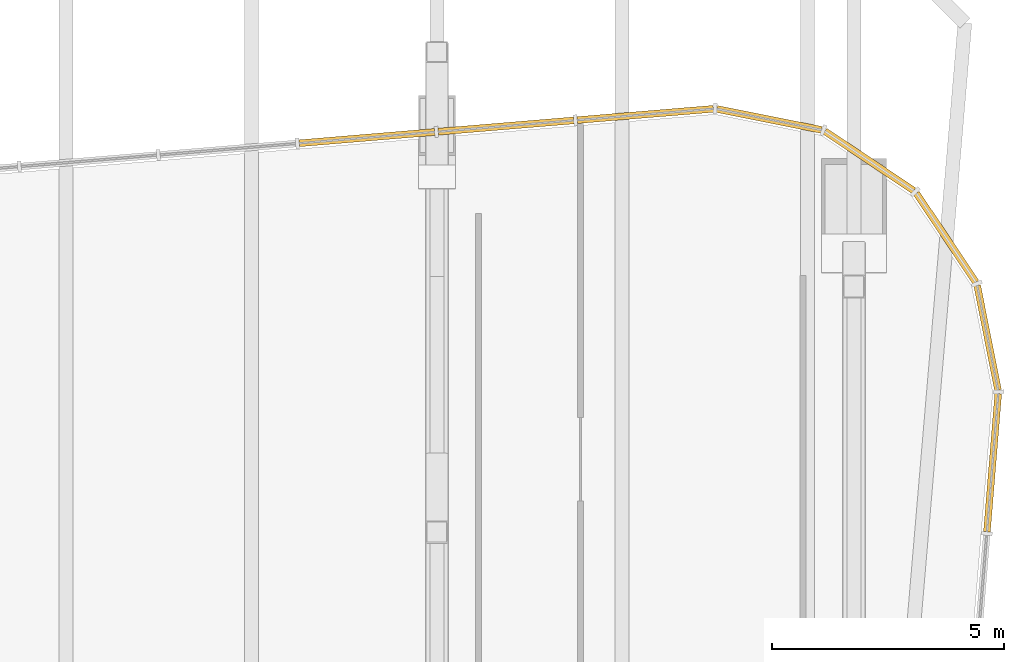
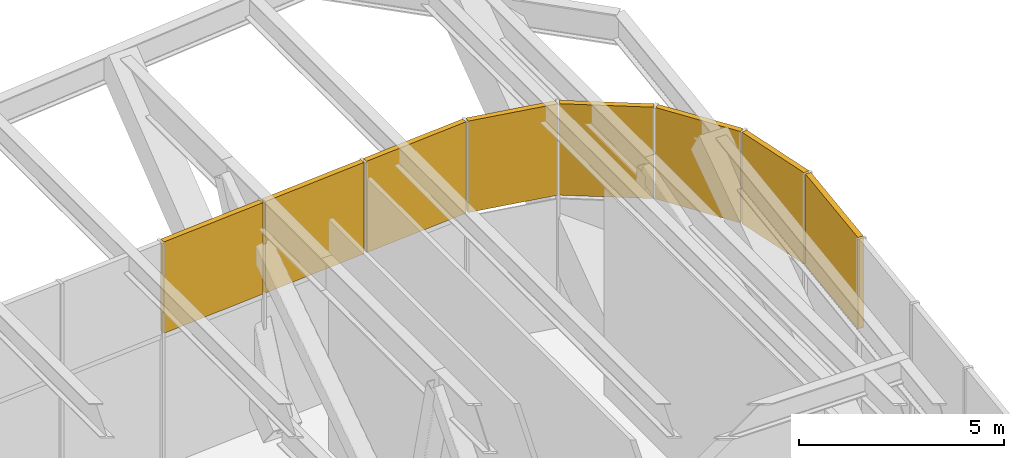
# One storey, part 17 of 17: 8 shading devices, 3 elements without a shape of their own.
"""IFC4 building model written with IfcOpenShell, lengths in metres."""

from ifc_helpers import new_model, si_unit, direction, frame, origin, origin_2d, place, context, subcontext, project, spatial, rectangle, extrude, material, layer, layer_set, type_object, element, aggregate, save


model = new_model("IFC4")

# Units and contexts
model_context = context("Model", 3, precision=1e-05, world=origin(), true_north=direction((0.0, 1.0)))
body_context = subcontext(model_context, "Body", "Model", "MODEL_VIEW")
ifc_project = project(units=[si_unit("LENGTHUNIT", "METRE"), si_unit("AREAUNIT", "SQUARE_METRE"), si_unit("VOLUMEUNIT", "CUBIC_METRE"), si_unit("PLANEANGLEUNIT", "RADIAN"), si_unit("MASSUNIT", "GRAM", prefix="KILO")], contexts=[model_context])

# Site, building, storey
site_placement = place(None, origin())
site = spatial("IfcSite", under=ifc_project, at=site_placement, CompositionType="ELEMENT")
building_placement = place(site_placement, origin())
building = spatial("IfcBuilding", under=site, at=building_placement, Name="Verdant Reach Tower", CompositionType="ELEMENT")
storey_placement = place(building_placement, frame((0.0, 0.0, 114.0)))
storey = spatial("IfcBuildingStorey", under=building, at=storey_placement, Name="L26 Plant", CompositionType="ELEMENT", Elevation=114.0)

# Curtain wall, shading device
ifc_material_1 = material(Name="Anodised aluminium", Category="aluminium")
curtain_wall_type = type_object("IfcCurtainWallType", Name="EN-CW SYSTEM PLANT", PredefinedType="NOTDEFINED", material=ifc_material_1)
curtain_wall_1_placement = place(storey_placement, origin())
curtain_wall_1 = element("IfcCurtainWall", 1, at=curtain_wall_1_placement, inside=storey, type_object=curtain_wall_type, Name="Curtain wall east, L26", PredefinedType="NOTDEFINED")
ifc_material_2 = material(Name="Bronze anodised aluminium louvre", Category="aluminium")
ifc_layer = layer(ifc_material_2, 0.14990234375)
ifc_layer_set = layer_set([ifc_layer], Name="EN-LOUVRE")
shading_device_type = type_object("IfcShadingDeviceType", Name="EN-LOUVRE", PredefinedType="USERDEFINED", material=ifc_layer_set)
shading_device_1_placement = place(storey_placement, frame((23.99365234375, 45.477783203125, 3.925048828125), z_axis=(0.0, 0.0, 1.0), x_axis=(0.081541826124, 0.996669920582, 0.0)))
shading_device_1 = element("IfcShadingDevice", 2, at=shading_device_1_placement, type_object=shading_device_type, Name="Louvre bank east face part 2 6, L26", ObjectType="LOUVRE", PredefinedType="USERDEFINED", context=body_context, shape_type="SweptSolid", body=[
    extrude(rectangle(XDim=2.992431640625, YDim=0.14990234375, at=origin_2d()), origin(), (0.0, 0.0, 1.0), 2.72509765625),
])
aggregate(curtain_wall_1, [shading_device_1])

# Curtain wall, shading devices
curtain_wall_2_placement = place(storey_placement, origin())
curtain_wall_2 = element("IfcCurtainWall", 3, at=curtain_wall_2_placement, inside=storey, type_object=curtain_wall_type, Name="Curtain wall north-east corner, L26", PredefinedType="NOTDEFINED")
shading_device_2_placement = place(storey_placement, frame((23.885986328125, 48.17431640625, 3.925048828125), z_axis=(0.0, 0.0, 1.0), x_axis=(-0.195549132142, 0.980693905823, 0.0)))
shading_device_2 = element("IfcShadingDevice", 4, at=shading_device_2_placement, type_object=shading_device_type, Name="Louvre bank north-east corner 1, L26", ObjectType="LOUVRE", PredefinedType="USERDEFINED", context=body_context, shape_type="SweptSolid", body=[
    extrude(rectangle(XDim=2.3046875, YDim=0.14990234375, at=origin_2d()), origin(), (0.0, 0.0, 1.0), 2.72509765625),
])
shading_device_3_placement = place(storey_placement, frame((22.989990234375, 50.334228515625, 3.925048828125), z_axis=(0.0, 0.0, 1.0), x_axis=(-0.555596466265, 0.83145208321, 0.0)))
shading_device_3 = element("IfcShadingDevice", 5, at=shading_device_3_placement, type_object=shading_device_type, Name="Louvre bank north-east corner 2, L26", ObjectType="LOUVRE", PredefinedType="USERDEFINED", context=body_context, shape_type="SweptSolid", body=[
    extrude(rectangle(XDim=2.3115234375, YDim=0.14990234375, at=origin_2d()), origin(), (0.0, 0.0, 1.0), 2.72509765625),
])
shading_device_4_placement = place(storey_placement, frame((21.334228515625, 51.989990234375, 3.925048828125), z_axis=(0.0, 0.0, 1.0), x_axis=(-0.83145208321, 0.555596466265, 0.0)))
shading_device_4 = element("IfcShadingDevice", 6, at=shading_device_4_placement, type_object=shading_device_type, Name="Louvre bank north-east corner 3, L26", ObjectType="LOUVRE", PredefinedType="USERDEFINED", context=body_context, shape_type="SweptSolid", body=[
    extrude(rectangle(XDim=2.3115234375, YDim=0.14990234375, at=origin_2d()), origin(), (0.0, 0.0, 1.0), 2.72509765625),
])
shading_device_5_placement = place(storey_placement, frame((19.174072265625, 52.885986328125, 3.925048828125), z_axis=(0.0, 0.0, 1.0), x_axis=(-0.980694678629, 0.195545256419, 0.0)))
shading_device_5 = element("IfcShadingDevice", 7, at=shading_device_5_placement, type_object=shading_device_type, Name="Louvre bank north-east corner 4, L26", ObjectType="LOUVRE", PredefinedType="USERDEFINED", context=body_context, shape_type="SweptSolid", body=[
    extrude(rectangle(XDim=2.304931640625, YDim=0.14990234375, at=origin_2d()), origin(), (0.0, 0.0, 1.0), 2.72509765625),
])
aggregate(curtain_wall_2, [shading_device_2, shading_device_3, shading_device_4, shading_device_5])

curtain_wall_3_placement = place(storey_placement, origin())
curtain_wall_3 = element("IfcCurtainWall", 8, at=curtain_wall_3_placement, inside=storey, type_object=curtain_wall_type, Name="Curtain wall north, L26", PredefinedType="NOTDEFINED")
shading_device_6_placement = place(storey_placement, frame((16.49853515625, 52.99365234375, 3.925048828125), z_axis=(0.0, 0.0, 1.0), x_axis=(-0.996577509664, -0.082663578629, 0.0)))
shading_device_6 = element("IfcShadingDevice", 9, at=shading_device_6_placement, type_object=shading_device_type, Name="Louvre bank north face part 1 1, L26", ObjectType="LOUVRE", PredefinedType="USERDEFINED", context=body_context, shape_type="SweptSolid", body=[
    extrude(rectangle(XDim=2.950927734375, YDim=0.14990234375, at=origin_2d()), origin(), (0.0, 0.0, 1.0), 2.72509765625),
])
shading_device_7_placement = place(storey_placement, frame((13.490234375, 52.74365234375, 3.925048828125), z_axis=(0.0, 0.0, 1.0), x_axis=(-0.996545758244, -0.083045479859, 0.0)))
shading_device_7 = element("IfcShadingDevice", 10, at=shading_device_7_placement, type_object=shading_device_type, Name="Louvre bank north face part 1 2, L26", ObjectType="LOUVRE", PredefinedType="USERDEFINED", context=body_context, shape_type="SweptSolid", body=[
    extrude(rectangle(XDim=2.934326171875, YDim=0.14990234375, at=origin_2d()), origin(), (0.0, 0.0, 1.0), 2.72509765625),
])
shading_device_8_placement = place(storey_placement, frame((10.490234375, 52.49365234375, 3.925048828125), z_axis=(0.0, 0.0, 1.0), x_axis=(-0.996545758244, -0.083045479859, 0.0)))
shading_device_8 = element("IfcShadingDevice", 11, at=shading_device_8_placement, type_object=shading_device_type, Name="Louvre bank north face part 1 3, L26", ObjectType="LOUVRE", PredefinedType="USERDEFINED", context=body_context, shape_type="SweptSolid", body=[
    extrude(rectangle(XDim=2.934326171875, YDim=0.14990234375, at=origin_2d()), origin(), (0.0, 0.0, 1.0), 2.72509765625),
])
aggregate(curtain_wall_3, [shading_device_6, shading_device_7, shading_device_8])

save(model, "model.ifc")
